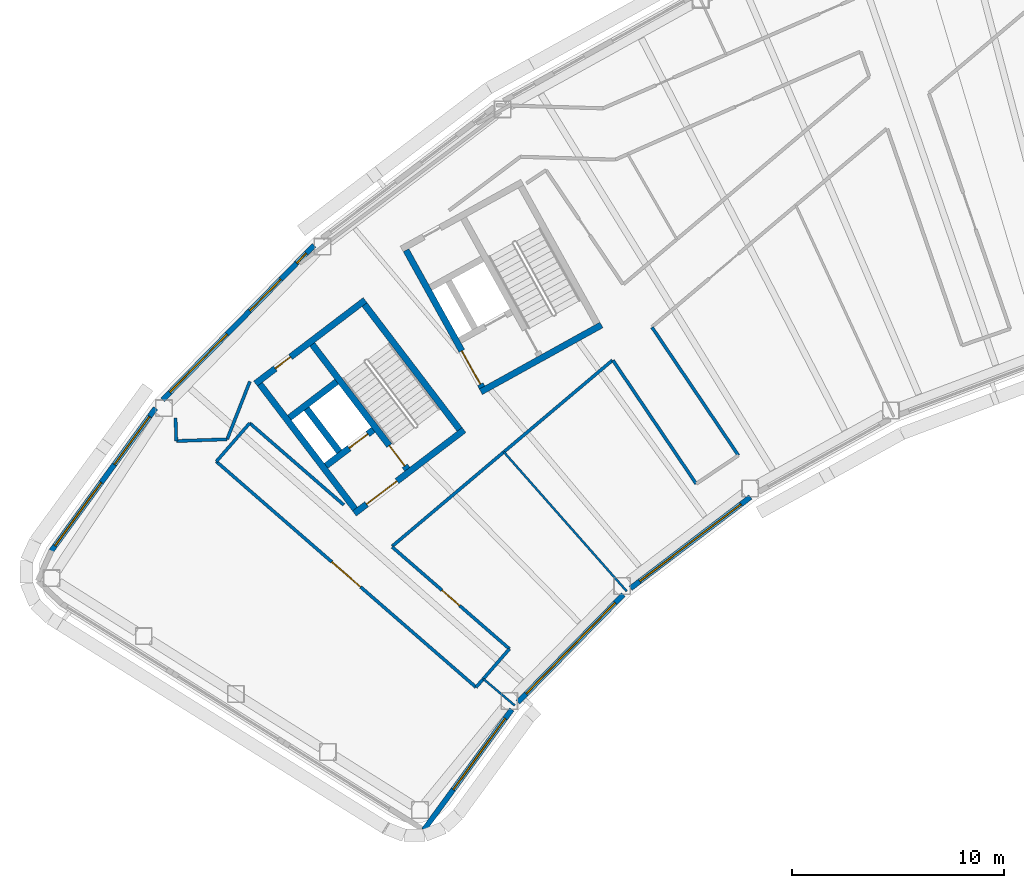
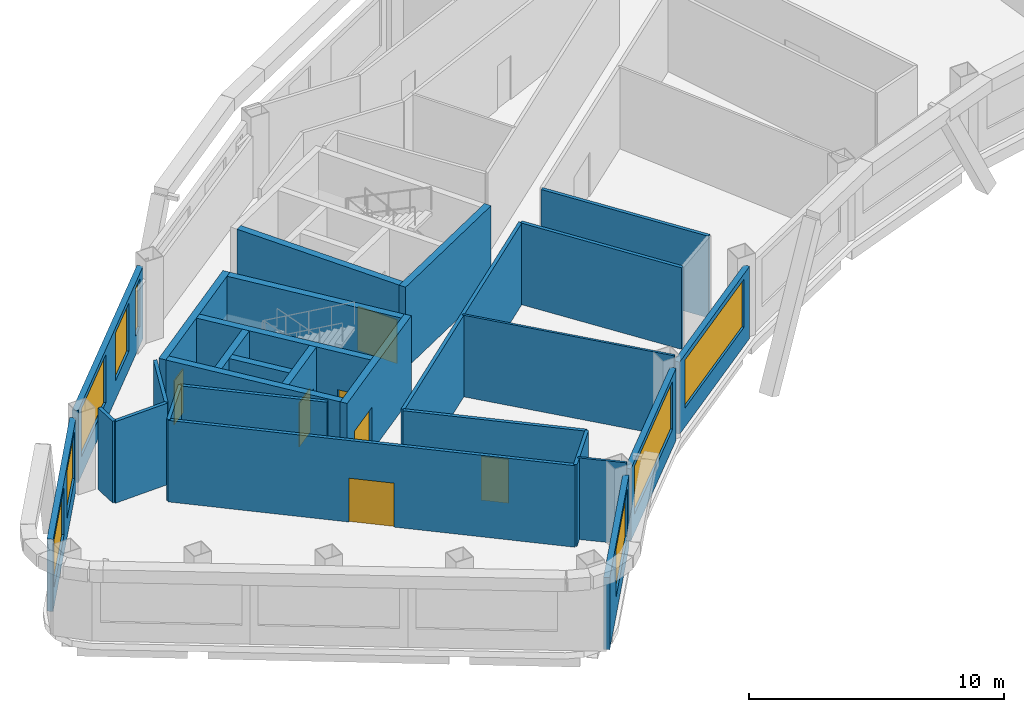
# One storey, part 5 of 16: 28 walls, 8 windows, 7 doors, 15 openings.
"""IFC4 building model written with IfcOpenShell, lengths in metres."""

from ifc_helpers import new_model, si_unit, direction, frame, frame_2d, origin, place, context, subcontext, project, spatial, rectangle, extrude, material, layer, layer_set, type_object, element, fill, save


model = new_model("IFC4")

# Units and contexts
model_context = context("Model", 3, precision=1e-05, world=origin(), true_north=direction((0.0, 1.0)))
body_context = subcontext(model_context, "Body", "Model", "MODEL_VIEW")
ifc_project = project(units=[si_unit("LENGTHUNIT", "METRE"), si_unit("AREAUNIT", "SQUARE_METRE"), si_unit("VOLUMEUNIT", "CUBIC_METRE"), si_unit("PLANEANGLEUNIT", "RADIAN"), si_unit("MASSUNIT", "GRAM", prefix="KILO")], contexts=[model_context])

# Site, building, storey
site_placement = place(None, origin())
site = spatial("IfcSite", under=ifc_project, at=site_placement, CompositionType="ELEMENT")
building_placement = place(site_placement, origin())
building = spatial("IfcBuilding", under=site, at=building_placement, Name="Tuul Gate Civic Tower", CompositionType="ELEMENT")
storey_placement = place(building_placement, frame((0.0, 0.0, 261.0)))
storey = spatial("IfcBuildingStorey", under=building, at=storey_placement, Name="Level 59", CompositionType="ELEMENT", Elevation=261.0)

# Wall, opening, door
ifc_material_1 = material(Name="Concrete C50/60", Category="concrete")
ifc_layer_1 = layer(ifc_material_1, 0.300048828125)
ifc_layer_set_1 = layer_set([ifc_layer_1], Name="Concrete C50/60")
wall_type_1 = type_object("IfcWallType", Name="Core wall C50/60", PredefinedType="SHEAR", material=ifc_layer_set_1)
wall_1_placement = place(storey_placement, frame((-31.19091796875, -13.669677734375, 0.0), z_axis=(0.0, 0.0, 1.0), x_axis=(-0.795606717756, -0.605813461934, 0.0)))
wall_1 = element("IfcWall", 1, at=wall_1_placement, inside=storey, type_object=wall_type_1, Name="Core wall", PredefinedType="SHEAR", context=body_context, shape_type="SweptSolid", body=[
    extrude(rectangle(XDim=6.5, YDim=0.300048828125, at=frame_2d((3.25, 0.0))), origin(), (0.0, 0.0, 1.0), 3.89990234375),
])
opening_1_placement = place(wall_1_placement, frame((3.97509765625, 0.0, 0.0)))
opening_1 = element("IfcOpeningElement", 2, at=opening_1_placement, cuts=wall_1, Name="Opening LB-W1-LOBBY-1", PredefinedType="OPENING", context=body_context, shape_type="SweptSolid", body=[
    extrude(rectangle(XDim=1.800048828125, YDim=2.10009765625, at=frame_2d((0.89990234375, 1.050048828125))), frame((0.0, 0.16015625, 0.0), z_axis=(0.0, -1.0, 0.0), x_axis=(1.0, 0.0, 0.0)), (0.0, 0.0, 1.0), 0.320068359375),
])
ifc_material_2 = material(Name="Steel", Category="steel")
door_type_1 = type_object("IfcDoorType", Name="Lobby door", OperationType="DOUBLE_DOOR_SINGLE_SWING", PredefinedType="DOOR", material=ifc_material_2)
door_1_placement = place(opening_1_placement, origin())
door_1 = element("IfcDoor", 3, at=door_1_placement, inside=storey, type_object=door_type_1, Name="Lobby door W1-LOBBY", OperationType="DOUBLE_DOOR_SINGLE_SWING", OverallHeight=2.10009765625, OverallWidth=1.800048828125, PredefinedType="DOOR", context=body_context, shape_type="SweptSolid", body=[
    extrude(rectangle(XDim=1.800048828125, YDim=2.10009765625, at=frame_2d((0.89990234375, 1.050048828125))), frame((0.0, 0.02490234375, 0.0), z_axis=(0.0, -1.0, 0.0), x_axis=(1.0, 0.0, 0.0)), (0.0, 0.0, 1.0), 0.050048828125),
])
fill(opening_1, door_1)

wall_2_placement = place(storey_placement, frame((-35.470947265625, -13.66064453125, 0.0), z_axis=(0.0, 0.0, 1.0), x_axis=(-0.795615822227, -0.605801504968, 0.0)))
wall_2 = element("IfcWall", 4, at=wall_2_placement, inside=storey, type_object=wall_type_1, Name="Core wall", PredefinedType="SHEAR", context=body_context, shape_type="SweptSolid", body=[
    extrude(rectangle(XDim=2.800048828125, YDim=0.300048828125, at=frame_2d((1.39990234375, 0.0))), origin(), (0.0, 0.0, 1.0), 3.89990234375),
])
opening_2_placement = place(wall_2_placement, frame((0.324951171875, 0.0, 0.0)))
opening_2 = element("IfcOpeningElement", 5, at=opening_2_placement, cuts=wall_2, Name="Opening LD-H1", PredefinedType="OPENING", context=body_context, shape_type="SweptSolid", body=[
    extrude(rectangle(XDim=1.10009765625, YDim=2.10009765625, at=frame_2d((0.550048828125, 1.050048828125))), frame((0.0, 0.16015625, 0.0), z_axis=(0.0, -1.0, 0.0), x_axis=(1.0, 0.0, 0.0)), (0.0, 0.0, 1.0), 0.320068359375),
])
ifc_material_3 = material(Name="Stainless steel", Category="steel")
door_type_2 = type_object("IfcDoorType", Name="Landing door", OperationType="DOUBLE_DOOR_SLIDING", PredefinedType="DOOR", material=ifc_material_3)
door_2_placement = place(opening_2_placement, origin())
door_2 = element("IfcDoor", 6, at=door_2_placement, inside=storey, type_object=door_type_2, Name="High-rise lift H1 landing door", OperationType="DOUBLE_DOOR_SLIDING", OverallHeight=2.10009765625, OverallWidth=1.10009765625, PredefinedType="DOOR", context=body_context, shape_type="SweptSolid", body=[
    extrude(rectangle(XDim=1.10009765625, YDim=2.10009765625, at=frame_2d((0.550048828125, 1.050048828125))), frame((0.0, 0.02490234375, 0.0), z_axis=(0.0, -1.0, 0.0), x_axis=(1.0, 0.0, 0.0)), (0.0, 0.0, 1.0), 0.050048828125),
])
fill(opening_2, door_2)

# Wall
wall_3_placement = place(storey_placement, frame((-37.197509765625, -11.39306640625, 0.0), z_axis=(0.0, 0.0, 1.0), x_axis=(-0.795583820278, -0.605843531707, 0.0)))
element("IfcWall", 7, at=wall_3_placement, inside=storey, type_object=wall_type_1, Name="Core wall", PredefinedType="SHEAR", context=body_context, shape_type="SweptSolid", body=[
    extrude(rectangle(XDim=2.7998046875, YDim=0.300048828125, at=frame_2d((1.39990234375, 0.0))), origin(), (0.0, 0.0, 1.0), 3.89990234375),
])

# Wall, opening, door
wall_4_placement = place(storey_placement, frame((-35.855224609375, -7.543212890625, 0.0), z_axis=(0.0, 0.0, 1.0), x_axis=(-0.79563860527, -0.605771582202, 0.0)))
wall_4 = element("IfcWall", 8, at=wall_4_placement, inside=storey, type_object=wall_type_1, Name="Core wall", PredefinedType="SHEAR", context=body_context, shape_type="SweptSolid", body=[
    extrude(rectangle(XDim=6.5, YDim=0.300048828125, at=frame_2d((3.25, 0.0))), origin(), (0.0, 0.0, 1.0), 3.89990234375),
])
opening_3_placement = place(wall_4_placement, frame((4.425048828125, 0.0, 0.0)))
opening_3 = element("IfcOpeningElement", 9, at=opening_3_placement, cuts=wall_4, Name="Opening V-D26", PredefinedType="OPENING", context=body_context, shape_type="SweptSolid", body=[
    extrude(rectangle(XDim=0.89990234375, YDim=2.10009765625, at=frame_2d((0.449951171875, 1.050048828125))), frame((0.0, 0.16015625, 0.0), z_axis=(0.0, -1.0, 0.0), x_axis=(1.0, 0.0, 0.0)), (0.0, 0.0, 1.0), 0.320068359375),
])
ifc_material_4 = material(Name="Timber door leaf", Category="wood")
door_type_3 = type_object("IfcDoorType", Name="Door D09", OperationType="NOTDEFINED", PredefinedType="DOOR", material=ifc_material_4)
door_3_placement = place(opening_3_placement, origin())
door_3 = element("IfcDoor", 10, at=door_3_placement, inside=storey, type_object=door_type_3, Name="Door V-D26", OperationType="SINGLE_SWING_LEFT", OverallHeight=2.10009765625, OverallWidth=0.89990234375, PredefinedType="DOOR", context=body_context, shape_type="SweptSolid", body=[
    extrude(rectangle(XDim=0.89990234375, YDim=2.10009765625, at=frame_2d((0.449951171875, 1.050048828125))), frame((0.0, 0.02490234375, 0.0), z_axis=(0.0, -1.0, 0.0), x_axis=(1.0, 0.0, 0.0)), (0.0, 0.0, 1.0), 0.050048828125),
])
fill(opening_3, door_3)

# Wall
wall_5_placement = place(storey_placement, frame((-31.401123046875, -13.64111328125, 0.0), z_axis=(0.0, 0.0, 1.0), x_axis=(-0.605769822278, 0.795639945213, 0.0)))
element("IfcWall", 11, at=wall_5_placement, inside=storey, type_object=wall_type_1, Name="Core wall", PredefinedType="SHEAR", context=body_context, shape_type="SweptSolid", body=[
    extrude(rectangle(XDim=7.39990234375, YDim=0.300048828125, at=frame_2d((3.699951171875, 0.0))), origin(), (0.0, 0.0, 1.0), 3.89990234375),
])

# Wall, opening, door
wall_6_placement = place(storey_placement, frame((-33.867431640625, -15.51904296875, 0.0), z_axis=(0.0, 0.0, 1.0), x_axis=(-0.605769822278, 0.795639945213, 0.0)))
wall_6 = element("IfcWall", 12, at=wall_6_placement, inside=storey, type_object=wall_type_1, Name="Core wall", PredefinedType="SHEAR", context=body_context, shape_type="SweptSolid", body=[
    extrude(rectangle(XDim=7.39990234375, YDim=0.300048828125, at=frame_2d((3.699951171875, 0.0))), origin(), (0.0, 0.0, 1.0), 3.89990234375),
])
opening_4_placement = place(wall_6_placement, frame((0.199951171875, 0.0, 0.0)))
opening_4 = element("IfcOpeningElement", 13, at=opening_4_placement, cuts=wall_6, Name="Opening SD-ST-1", PredefinedType="OPENING", context=body_context, shape_type="SweptSolid", body=[
    extrude(rectangle(XDim=1.199951171875, YDim=2.10009765625, at=frame_2d((0.60009765625, 1.050048828125))), frame((0.0, 0.16015625, 0.0), z_axis=(0.0, -1.0, 0.0), x_axis=(1.0, 0.0, 0.0)), (0.0, 0.0, 1.0), 0.320068359375),
])
ifc_material_5 = material(Name="Steel", Category="steel")
door_type_4 = type_object("IfcDoorType", Name="Stair door", OperationType="NOTDEFINED", PredefinedType="DOOR", material=ifc_material_5)
door_4_placement = place(opening_4_placement, origin())
door_4 = element("IfcDoor", 14, at=door_4_placement, inside=storey, type_object=door_type_4, Name="Stair door ST-1", OperationType="SINGLE_SWING_LEFT", OverallHeight=2.10009765625, OverallWidth=1.199951171875, PredefinedType="DOOR", context=body_context, shape_type="SweptSolid", body=[
    extrude(rectangle(XDim=1.199951171875, YDim=2.10009765625, at=frame_2d((0.60009765625, 1.050048828125))), frame((0.0, 0.02490234375, 0.0), z_axis=(0.0, -1.0, 0.0), x_axis=(1.0, 0.0, 0.0)), (0.0, 0.0, 1.0), 0.050048828125),
])
fill(opening_4, door_4)

# Walls
wall_7_placement = place(storey_placement, frame((-37.073486328125, -14.6923828125, 0.0), z_axis=(0.0, 0.0, 1.0), x_axis=(-0.605728760074, 0.79567120673, 0.0)))
element("IfcWall", 15, at=wall_7_placement, inside=storey, type_object=wall_type_1, Name="Core wall", PredefinedType="SHEAR", context=body_context, shape_type="SweptSolid", body=[
    extrude(rectangle(XDim=2.550048828125, YDim=0.300048828125, at=frame_2d((1.27490234375, 0.0))), origin(), (0.0, 0.0, 1.0), 3.89990234375),
])
wall_8_placement = place(storey_placement, frame((-36.333984375, -17.397216796875, 0.0), z_axis=(0.0, 0.0, 1.0), x_axis=(-0.605753921168, 0.795652051458, 0.0)))
element("IfcWall", 16, at=wall_8_placement, inside=storey, type_object=wall_type_1, Name="Core wall", PredefinedType="SHEAR", context=body_context, shape_type="SweptSolid", body=[
    extrude(rectangle(XDim=7.400146484375, YDim=0.300048828125, at=frame_2d((3.7001953125, 0.0))), origin(), (0.0, 0.0, 1.0), 3.89990234375),
])
wall_9_placement = place(storey_placement, frame((-24.711669921875, -8.7158203125, 0.0), z_axis=(0.0, 0.0, 1.0), x_axis=(-0.874629909008, -0.484791215132, 0.0)))
element("IfcWall", 17, at=wall_9_placement, inside=storey, type_object=wall_type_1, Name="Core wall", PredefinedType="SHEAR", context=body_context, shape_type="SweptSolid", body=[
    extrude(rectangle(XDim=6.5, YDim=0.300048828125, at=frame_2d((3.25, 0.0))), origin(), (0.0, 0.0, 1.0), 3.89990234375),
])

# Wall, opening, door
wall_10_placement = place(storey_placement, frame((-30.33837890625, -11.6630859375, 0.0), z_axis=(0.0, 0.0, 1.0), x_axis=(-0.484751894226, 0.874651702704, 0.0)))
wall_10 = element("IfcWall", 18, at=wall_10_placement, inside=storey, type_object=wall_type_1, Name="Core wall", PredefinedType="SHEAR", context=body_context, shape_type="SweptSolid", body=[
    extrude(rectangle(XDim=7.39990234375, YDim=0.300048828125, at=frame_2d((3.699951171875, 0.0))), origin(), (0.0, 0.0, 1.0), 3.89990234375),
])
opening_5_placement = place(wall_10_placement, frame((0.175048828125, 0.0, 0.0)))
opening_5 = element("IfcOpeningElement", 19, at=opening_5_placement, cuts=wall_10, Name="Opening LB-W2-FLOBBY-1", PredefinedType="OPENING", context=body_context, shape_type="SweptSolid", body=[
    extrude(rectangle(XDim=1.800048828125, YDim=2.10009765625, at=frame_2d((0.89990234375, 1.050048828125))), frame((0.0, 0.16015625, 0.0), z_axis=(0.0, -1.0, 0.0), x_axis=(1.0, 0.0, 0.0)), (0.0, 0.0, 1.0), 0.320068359375),
])
door_5_placement = place(opening_5_placement, origin())
door_5 = element("IfcDoor", 20, at=door_5_placement, inside=storey, type_object=door_type_1, Name="Lobby door W2-FLOBBY", OperationType="DOUBLE_DOOR_SINGLE_SWING", OverallHeight=2.10009765625, OverallWidth=1.800048828125, PredefinedType="DOOR", context=body_context, shape_type="SweptSolid", body=[
    extrude(rectangle(XDim=1.800048828125, YDim=2.10009765625, at=frame_2d((0.89990234375, 1.050048828125))), frame((0.0, 0.02490234375, 0.0), z_axis=(0.0, -1.0, 0.0), x_axis=(1.0, 0.0, 0.0)), (0.0, 0.0, 1.0), 0.050048828125),
])
fill(opening_5, door_5)

# Walls
ifc_material_6 = material(Name="Gypsum board partition")
ifc_layer_2 = layer(ifc_material_6, 0.14990234375)
ifc_layer_set_2 = layer_set([ifc_layer_2], Name="Gypsum board partition")
wall_type_2 = type_object("IfcWallType", Name="Corridor wall P150", PredefinedType="PARTITIONING", material=ifc_layer_set_2)
wall_11_placement = place(storey_placement, frame((-44.76220703125, -14.189453125, 0.0), z_axis=(0.0, 0.0, 1.0), x_axis=(0.999429560853, 0.033772072692, 0.0)))
element("IfcWall", 21, at=wall_11_placement, inside=storey, type_object=wall_type_2, Name="p039", PredefinedType="PARTITIONING", context=body_context, shape_type="SweptSolid", body=[
    extrude(rectangle(XDim=2.400146484375, YDim=0.14990234375, at=frame_2d((1.2001953125, 0.0))), origin(), (0.0, 0.0, 1.0), 3.89990234375),
])
wall_12_placement = place(storey_placement, frame((-42.363525390625, -14.1083984375, 0.0), z_axis=(0.0, 0.0, 1.0), x_axis=(0.365551849377, 0.930790978371, 0.0)))
element("IfcWall", 22, at=wall_12_placement, inside=storey, type_object=wall_type_2, Name="p040", PredefinedType="PARTITIONING", context=body_context, shape_type="SweptSolid", body=[
    extrude(rectangle(XDim=2.9306640625, YDim=0.14990234375, at=frame_2d((1.46533203125, 0.0))), origin(), (0.0, 0.0, 1.0), 3.89990234375),
])
wall_13_placement = place(storey_placement, frame((-41.29931640625, -13.344482421875, 0.0), z_axis=(0.0, 0.0, 1.0), x_axis=(0.754705532199, -0.65606368568, 0.0)))
element("IfcWall", 23, at=wall_13_placement, inside=storey, type_object=wall_type_2, Name="p041", PredefinedType="PARTITIONING", context=body_context, shape_type="SweptSolid", body=[
    extrude(rectangle(XDim=5.885498046875, YDim=0.14990234375, at=frame_2d((2.94287109375, 0.0))), origin(), (0.0, 0.0, 1.0), 3.89990234375),
])

# Wall, opening, door
wall_14_placement = place(storey_placement, frame((-34.58203125, -19.183837890625, 0.0), z_axis=(0.0, 0.0, 1.0), x_axis=(0.7547087962, -0.656059930904, 0.0)))
wall_14 = element("IfcWall", 24, at=wall_14_placement, inside=storey, type_object=wall_type_2, Name="p042", PredefinedType="PARTITIONING", context=body_context, shape_type="SweptSolid", body=[
    extrude(rectangle(XDim=7.328125, YDim=0.14990234375, at=frame_2d((3.6640625, 0.0))), origin(), (0.0, 0.0, 1.0), 3.89990234375),
])
opening_6_placement = place(wall_14_placement, frame((3.114013671875, 0.0, 0.0)))
opening_6 = element("IfcOpeningElement", 25, at=opening_6_placement, cuts=wall_14, Name="Opening V-D15", PredefinedType="OPENING", context=body_context, shape_type="SweptSolid", body=[
    extrude(rectangle(XDim=1.10009765625, YDim=2.10009765625, at=frame_2d((0.550048828125, 1.050048828125))), frame((0.0, 0.0849609375, 0.0), z_axis=(0.0, -1.0, 0.0), x_axis=(1.0, 0.0, 0.0)), (0.0, 0.0, 1.0), 0.169921875),
])
ifc_material_7 = material(Name="Timber door leaf", Category="wood")
door_type_5 = type_object("IfcDoorType", Name="Door D11", OperationType="NOTDEFINED", PredefinedType="DOOR", material=ifc_material_7)
door_6_placement = place(opening_6_placement, origin())
door_6 = element("IfcDoor", 26, at=door_6_placement, inside=storey, type_object=door_type_5, Name="Door V-D15", OperationType="SINGLE_SWING_RIGHT", OverallHeight=2.10009765625, OverallWidth=1.10009765625, PredefinedType="DOOR", context=body_context, shape_type="SweptSolid", body=[
    extrude(rectangle(XDim=1.10009765625, YDim=2.10009765625, at=frame_2d((0.550048828125, 1.050048828125))), frame((0.0, 0.02490234375, 0.0), z_axis=(0.0, -1.0, 0.0), x_axis=(1.0, 0.0, 0.0)), (0.0, 0.0, 1.0), 0.050048828125),
])
fill(opening_6, door_6)

# Wall
wall_15_placement = place(storey_placement, frame((-42.873779296875, -15.15576171875, 0.0), z_axis=(0.0, 0.0, 1.0), x_axis=(0.656045220604, 0.754721583448, 0.0)))
element("IfcWall", 27, at=wall_15_placement, inside=storey, type_object=wall_type_2, Name="p043", PredefinedType="PARTITIONING", context=body_context, shape_type="SweptSolid", body=[
    extrude(rectangle(XDim=2.39990234375, YDim=0.14990234375, at=frame_2d((1.199951171875, 0.0))), origin(), (0.0, 0.0, 1.0), 3.89990234375),
])

# Wall, opening, door
wall_16_placement = place(storey_placement, frame((-42.873779296875, -15.15576171875, 0.0), z_axis=(0.0, 0.0, 1.0), x_axis=(0.754711415152, -0.65605691814, 0.0)))
wall_16 = element("IfcWall", 28, at=wall_16_placement, inside=storey, type_object=wall_type_2, Name="p044", PredefinedType="PARTITIONING", context=body_context, shape_type="SweptSolid", body=[
    extrude(rectangle(XDim=16.22900390625, YDim=0.14990234375, at=frame_2d((8.114501953125, 0.0))), origin(), (0.0, 0.0, 1.0), 3.89990234375),
])
opening_7_placement = place(wall_16_placement, frame((7.214599609375, 0.0, 0.0)))
opening_7 = element("IfcOpeningElement", 29, at=opening_7_placement, cuts=wall_16, Name="Opening V-D07", PredefinedType="OPENING", context=body_context, shape_type="SweptSolid", body=[
    extrude(rectangle(XDim=1.800048828125, YDim=2.10009765625, at=frame_2d((0.89990234375, 1.050048828125))), frame((0.0, 0.0849609375, 0.0), z_axis=(0.0, -1.0, 0.0), x_axis=(1.0, 0.0, 0.0)), (0.0, 0.0, 1.0), 0.169921875),
])
ifc_material_8 = material(Name="Timber door leaf, double", Category="wood")
door_type_6 = type_object("IfcDoorType", Name="Door D18", OperationType="DOUBLE_DOOR_SINGLE_SWING", PredefinedType="DOOR", material=ifc_material_8)
door_7_placement = place(opening_7_placement, frame((1.800048828125, 0.0, 0.0), z_axis=(0.0, 0.0, 1.0), x_axis=(-1.0, 0.0, 0.0)))
door_7 = element("IfcDoor", 30, at=door_7_placement, inside=storey, type_object=door_type_6, Name="Door V-D07", OperationType="DOUBLE_DOOR_SINGLE_SWING", OverallHeight=2.10009765625, OverallWidth=1.800048828125, PredefinedType="DOOR", context=body_context, shape_type="SweptSolid", body=[
    extrude(rectangle(XDim=1.800048828125, YDim=2.10009765625, at=frame_2d((0.900146484375, 1.050048828125))), frame((0.0, 0.02490234375, 0.0), z_axis=(0.0, -1.0, 0.0), x_axis=(1.0, 0.0, 0.0)), (0.0, 0.0, 1.0), 0.050048828125),
])
fill(opening_7, door_7)

# Walls
wall_17_placement = place(storey_placement, frame((-30.62548828125, -25.802978515625, 0.0), z_axis=(0.0, 0.0, 1.0), x_axis=(0.655979683466, 0.754778546913, 0.0)))
element("IfcWall", 31, at=wall_17_placement, inside=storey, type_object=wall_type_2, Name="p045", PredefinedType="PARTITIONING", context=body_context, shape_type="SweptSolid", body=[
    extrude(rectangle(XDim=2.3994140625, YDim=0.14990234375, at=frame_2d((1.19970703125, 0.0))), origin(), (0.0, 0.0, 1.0), 3.89990234375),
])
wall_18_placement = place(storey_placement, frame((-44.799072265625, -13.10107421875, 0.0), z_axis=(0.0, 0.0, 1.0), x_axis=(0.033852277693, -0.999426847396, 0.0)))
element("IfcWall", 32, at=wall_18_placement, inside=storey, type_object=wall_type_2, Name="p046", PredefinedType="PARTITIONING", context=body_context, shape_type="SweptSolid", body=[
    extrude(rectangle(XDim=1.089111328125, YDim=0.14990234375, at=frame_2d((0.54443359375, 0.0))), origin(), (0.0, 0.0, 1.0), 3.89990234375),
])
wall_19_placement = place(storey_placement, frame((-34.581787109375, -19.1533203125, 0.0), z_axis=(0.0, 0.0, 1.0), x_axis=(0.764037195411, 0.645172197192, 0.0)))
element("IfcWall", 33, at=wall_19_placement, inside=storey, type_object=wall_type_2, Name="p069", PredefinedType="PARTITIONING", context=body_context, shape_type="SweptSolid", body=[
    extrude(rectangle(XDim=13.593017578125, YDim=0.14990234375, at=frame_2d((6.79638671875, 0.0))), origin(), (0.0, 0.0, 1.0), 3.89990234375),
])
wall_20_placement = place(storey_placement, frame((-24.166748046875, -10.3876953125, 0.0), z_axis=(0.0, 0.0, 1.0), x_axis=(0.559210603637, -0.829025633367, 0.0)))
element("IfcWall", 34, at=wall_20_placement, inside=storey, type_object=wall_type_2, Name="p078", PredefinedType="PARTITIONING", context=body_context, shape_type="SweptSolid", body=[
    extrude(rectangle(XDim=7.019775390625, YDim=0.14990234375, at=frame_2d((3.509765625, 0.0))), origin(), (0.0, 0.0, 1.0), 3.89990234375),
])
wall_21_placement = place(storey_placement, frame((-22.32470703125, -8.826416015625, 0.0), z_axis=(0.0, 0.0, 1.0), x_axis=(0.559170600048, -0.829052615967, 0.0)))
element("IfcWall", 35, at=wall_21_placement, inside=storey, type_object=wall_type_2, Name="p081", PredefinedType="PARTITIONING", context=body_context, shape_type="SweptSolid", body=[
    extrude(rectangle(XDim=7.283935546875, YDim=0.14990234375, at=frame_2d((3.64208984375, 0.0))), origin(), (0.0, 0.0, 1.0), 3.89990234375),
])

# Wall, openings, windows
ifc_material_9 = material(Name="Precast concrete C40/50", Category="concrete")
ifc_layer_3 = layer(ifc_material_9, 0.25)
ifc_layer_set_3 = layer_set([ifc_layer_3], Name="Precast concrete C40/50")
wall_type_3 = type_object("IfcWallType", Name="External wall", PredefinedType="STANDARD", material=ifc_layer_set_3)
wall_22_placement = place(storey_placement, frame((-38.26708984375, -4.960693359375, 0.0), z_axis=(0.0, 0.0, 1.0), x_axis=(-0.699995514974, -0.714147239031, 0.0)))
wall_22 = element("IfcWall", 36, at=wall_22_placement, inside=storey, type_object=wall_type_3, Name="External wall", PredefinedType="STANDARD", context=body_context, shape_type="SweptSolid", body=[
    extrude(rectangle(XDim=10.19580078125, YDim=0.25, at=frame_2d((5.097900390625, 0.0))), origin(), (0.0, 0.0, 1.0), 3.449951171875),
])
opening_8_placement = place(wall_22_placement, frame((5.85888671875, 0.0, 0.89990234375)))
opening_8 = element("IfcOpeningElement", 37, at=opening_8_placement, cuts=wall_22, Name="Opening W22", PredefinedType="OPENING", context=body_context, shape_type="SweptSolid", body=[
    extrude(rectangle(XDim=3.85009765625, YDim=2.300048828125, at=frame_2d((1.925048828125, 1.14990234375))), frame((0.0, 0.135009765625, 0.0), z_axis=(0.0, -1.0, 0.0), x_axis=(1.0, 0.0, 0.0)), (0.0, 0.0, 1.0), 0.27001953125),
])
opening_9_placement = place(wall_22_placement, frame((0.51904296875, 0.0, 0.89990234375)))
opening_9 = element("IfcOpeningElement", 38, at=opening_9_placement, cuts=wall_22, Name="Opening W31", PredefinedType="OPENING", context=body_context, shape_type="SweptSolid", body=[
    extrude(rectangle(XDim=0.64990234375, YDim=2.300048828125, at=frame_2d((0.324951171875, 1.14990234375))), frame((0.0, 0.135009765625, 0.0), z_axis=(0.0, -1.0, 0.0), x_axis=(1.0, 0.0, 0.0)), (0.0, 0.0, 1.0), 0.27001953125),
])
opening_10_placement = place(wall_22_placement, frame((2.229736328125, 0.0, 0.89990234375)))
opening_10 = element("IfcOpeningElement", 39, at=opening_10_placement, cuts=wall_22, Name="Opening W40", PredefinedType="OPENING", context=body_context, shape_type="SweptSolid", body=[
    extrude(rectangle(XDim=2.10009765625, YDim=2.300048828125, at=frame_2d((1.050048828125, 1.14990234375))), frame((0.0, 0.135009765625, 0.0), z_axis=(0.0, -1.0, 0.0), x_axis=(1.0, 0.0, 0.0)), (0.0, 0.0, 1.0), 0.27001953125),
])
ifc_material_10 = material(Name="Glass", Category="glass")
window_type_1 = type_object("IfcWindowType", Name="Window 2100 x 2300", PartitioningType="SINGLE_PANEL", PredefinedType="WINDOW", material=ifc_material_10)
window_1_placement = place(opening_10_placement, origin())
window_1 = element("IfcWindow", 40, at=window_1_placement, inside=storey, type_object=window_type_1, Name="Window", OverallHeight=2.300048828125, OverallWidth=2.10009765625, PartitioningType="SINGLE_PANEL", PredefinedType="WINDOW", context=body_context, shape_type="SweptSolid", body=[
    extrude(rectangle(XDim=2.10009765625, YDim=2.300048828125, at=frame_2d((1.050048828125, 1.14990234375))), frame((0.0, 0.030029296875, 0.0), z_axis=(0.0, -1.0, 0.0), x_axis=(1.0, 0.0, 0.0)), (0.0, 0.0, 1.0), 0.06005859375),
])
fill(opening_10, window_1)
ifc_material_11 = material(Name="Glass", Category="glass")
window_type_2 = type_object("IfcWindowType", Name="Window 650 x 2300", PartitioningType="SINGLE_PANEL", PredefinedType="WINDOW", material=ifc_material_11)
window_2_placement = place(opening_9_placement, origin())
window_2 = element("IfcWindow", 41, at=window_2_placement, inside=storey, type_object=window_type_2, Name="Window", OverallHeight=2.300048828125, OverallWidth=0.64990234375, PartitioningType="SINGLE_PANEL", PredefinedType="WINDOW", context=body_context, shape_type="SweptSolid", body=[
    extrude(rectangle(XDim=0.64990234375, YDim=2.300048828125, at=frame_2d((0.324951171875, 1.14990234375))), frame((0.0, 0.030029296875, 0.0), z_axis=(0.0, -1.0, 0.0), x_axis=(1.0, 0.0, 0.0)), (0.0, 0.0, 1.0), 0.06005859375),
])
fill(opening_9, window_2)
ifc_material_12 = material(Name="Glass", Category="glass")
window_type_3 = type_object("IfcWindowType", Name="Window W22 3850 x 2300", PartitioningType="SINGLE_PANEL", PredefinedType="WINDOW", material=ifc_material_12)
window_3_placement = place(opening_8_placement, origin())
window_3 = element("IfcWindow", 42, at=window_3_placement, inside=storey, type_object=window_type_3, Name="Window", OverallHeight=2.300048828125, OverallWidth=3.85009765625, PartitioningType="SINGLE_PANEL", PredefinedType="WINDOW", context=body_context, shape_type="SweptSolid", body=[
    extrude(rectangle(XDim=3.85009765625, YDim=2.300048828125, at=frame_2d((1.925048828125, 1.14990234375))), frame((0.0, 0.030029296875, 0.0), z_axis=(0.0, -1.0, 0.0), x_axis=(1.0, 0.0, 0.0)), (0.0, 0.0, 1.0), 0.06005859375),
])
fill(opening_8, window_3)

wall_23_placement = place(storey_placement, frame((-45.740966796875, -12.638671875, 0.0), z_axis=(0.0, 0.0, 1.0), x_axis=(-0.589821256366, -0.807533829346, 0.0)))
wall_23 = element("IfcWall", 43, at=wall_23_placement, inside=storey, type_object=wall_type_3, Name="External wall", PredefinedType="STANDARD", context=body_context, shape_type="SweptSolid", body=[
    extrude(rectangle(XDim=8.33642578125, YDim=0.25, at=frame_2d((4.168212890625, 0.0))), origin(), (0.0, 0.0, 1.0), 3.449951171875),
])
opening_11_placement = place(wall_23_placement, frame((0.484619140625, 0.0, 0.89990234375)))
opening_11 = element("IfcOpeningElement", 44, at=opening_11_placement, cuts=wall_23, Name="Opening W23", PredefinedType="OPENING", context=body_context, shape_type="SweptSolid", body=[
    extrude(rectangle(XDim=2.800048828125, YDim=2.300048828125, at=frame_2d((1.39990234375, 1.14990234375))), frame((0.0, 0.135009765625, 0.0), z_axis=(0.0, -1.0, 0.0), x_axis=(1.0, 0.0, 0.0)), (0.0, 0.0, 1.0), 0.27001953125),
])
opening_12_placement = place(wall_23_placement, frame((4.3359375, 0.0, 0.89990234375)))
opening_12 = element("IfcOpeningElement", 45, at=opening_12_placement, cuts=wall_23, Name="Opening W21", PredefinedType="OPENING", context=body_context, shape_type="SweptSolid", body=[
    extrude(rectangle(XDim=3.699951171875, YDim=2.300048828125, at=frame_2d((1.85009765625, 1.14990234375))), frame((0.0, 0.135009765625, 0.0), z_axis=(0.0, -1.0, 0.0), x_axis=(1.0, 0.0, 0.0)), (0.0, 0.0, 1.0), 0.27001953125),
])
ifc_material_13 = material(Name="Glass", Category="glass")
window_type_4 = type_object("IfcWindowType", Name="Window W21 3700 x 2300", PartitioningType="SINGLE_PANEL", PredefinedType="WINDOW", material=ifc_material_13)
window_4_placement = place(opening_12_placement, origin())
window_4 = element("IfcWindow", 46, at=window_4_placement, inside=storey, type_object=window_type_4, Name="Window", OverallHeight=2.300048828125, OverallWidth=3.699951171875, PartitioningType="SINGLE_PANEL", PredefinedType="WINDOW", context=body_context, shape_type="SweptSolid", body=[
    extrude(rectangle(XDim=3.699951171875, YDim=2.300048828125, at=frame_2d((1.85009765625, 1.14990234375))), frame((0.0, 0.030029296875, 0.0), z_axis=(0.0, -1.0, 0.0), x_axis=(1.0, 0.0, 0.0)), (0.0, 0.0, 1.0), 0.06005859375),
])
fill(opening_12, window_4)
ifc_material_14 = material(Name="Glass", Category="glass")
window_type_5 = type_object("IfcWindowType", Name="Window W23 2800 x 2300", PartitioningType="SINGLE_PANEL", PredefinedType="WINDOW", material=ifc_material_14)
window_5_placement = place(opening_11_placement, origin())
window_5 = element("IfcWindow", 47, at=window_5_placement, inside=storey, type_object=window_type_5, Name="Window", OverallHeight=2.300048828125, OverallWidth=2.800048828125, PartitioningType="SINGLE_PANEL", PredefinedType="WINDOW", context=body_context, shape_type="SweptSolid", body=[
    extrude(rectangle(XDim=2.800048828125, YDim=2.300048828125, at=frame_2d((1.39990234375, 1.14990234375))), frame((0.0, 0.030029296875, 0.0), z_axis=(0.0, -1.0, 0.0), x_axis=(1.0, 0.0, 0.0)), (0.0, 0.0, 1.0), 0.06005859375),
])
fill(opening_11, window_5)

# Wall, opening, window
wall_24_placement = place(storey_placement, frame((-33.088623046875, -32.53173828125, 0.0), z_axis=(0.0, 0.0, 1.0), x_axis=(0.589734649771, 0.807597079526, 0.0)))
wall_24 = element("IfcWall", 48, at=wall_24_placement, inside=storey, type_object=wall_type_3, Name="External wall", PredefinedType="STANDARD", context=body_context, shape_type="SweptSolid", body=[
    extrude(rectangle(XDim=7.03515625, YDim=0.25, at=frame_2d((3.517578125, 0.0))), origin(), (0.0, 0.0, 1.0), 3.449951171875),
])
opening_13_placement = place(wall_24_placement, frame((2.357666015625, 0.0, 0.89990234375)))
opening_13 = element("IfcOpeningElement", 49, at=opening_13_placement, cuts=wall_24, Name="Opening W25", PredefinedType="OPENING", context=body_context, shape_type="SweptSolid", body=[
    extrude(rectangle(XDim=4.14990234375, YDim=2.300048828125, at=frame_2d((2.074951171875, 1.14990234375))), frame((0.0, 0.135009765625, 0.0), z_axis=(0.0, -1.0, 0.0), x_axis=(1.0, 0.0, 0.0)), (0.0, 0.0, 1.0), 0.27001953125),
])
ifc_material_15 = material(Name="Glass", Category="glass")
window_type_6 = type_object("IfcWindowType", Name="Window W25 4150 x 2300", PartitioningType="SINGLE_PANEL", PredefinedType="WINDOW", material=ifc_material_15)
window_6_placement = place(opening_13_placement, origin())
window_6 = element("IfcWindow", 50, at=window_6_placement, inside=storey, type_object=window_type_6, Name="Window", OverallHeight=2.300048828125, OverallWidth=4.14990234375, PartitioningType="SINGLE_PANEL", PredefinedType="WINDOW", context=body_context, shape_type="SweptSolid", body=[
    extrude(rectangle(XDim=4.14990234375, YDim=2.300048828125, at=frame_2d((2.074951171875, 1.14990234375))), frame((0.0, 0.030029296875, 0.0), z_axis=(0.0, -1.0, 0.0), x_axis=(1.0, 0.0, 0.0)), (0.0, 0.0, 1.0), 0.06005859375),
])
fill(opening_13, window_6)

wall_25_placement = place(storey_placement, frame((-28.64990234375, -26.50634765625, 0.0), z_axis=(0.0, 0.0, 1.0), x_axis=(0.700015105418, 0.714128036269, 0.0)))
wall_25 = element("IfcWall", 51, at=wall_25_placement, inside=storey, type_object=wall_type_3, Name="External wall", PredefinedType="STANDARD", context=body_context, shape_type="SweptSolid", body=[
    extrude(rectangle(XDim=7.10986328125, YDim=0.25, at=frame_2d((3.554931640625, 0.0))), origin(), (0.0, 0.0, 1.0), 3.449951171875),
])
opening_14_placement = place(wall_25_placement, frame((0.555908203125, 0.0, 0.89990234375)))
opening_14 = element("IfcOpeningElement", 52, at=opening_14_placement, cuts=wall_25, Name="Opening W26", PredefinedType="OPENING", context=body_context, shape_type="SweptSolid", body=[
    extrude(rectangle(XDim=6.0, YDim=2.300048828125, at=frame_2d((3.0, 1.14990234375))), frame((0.0, 0.135009765625, 0.0), z_axis=(0.0, -1.0, 0.0), x_axis=(1.0, 0.0, 0.0)), (0.0, 0.0, 1.0), 0.27001953125),
])
ifc_material_16 = material(Name="Glass", Category="glass")
window_type_7 = type_object("IfcWindowType", Name="Window W26 6000 x 2300", PartitioningType="SINGLE_PANEL", PredefinedType="WINDOW", material=ifc_material_16)
window_7_placement = place(opening_14_placement, origin())
window_7 = element("IfcWindow", 53, at=window_7_placement, inside=storey, type_object=window_type_7, Name="Window", OverallHeight=2.300048828125, OverallWidth=6.0, PartitioningType="SINGLE_PANEL", PredefinedType="WINDOW", context=body_context, shape_type="SweptSolid", body=[
    extrude(rectangle(XDim=6.0, YDim=2.300048828125, at=frame_2d((3.0, 1.14990234375))), frame((0.0, 0.030029296875, 0.0), z_axis=(0.0, -1.0, 0.0), x_axis=(1.0, 0.0, 0.0)), (0.0, 0.0, 1.0), 0.06005859375),
])
fill(opening_14, window_7)

wall_26_placement = place(storey_placement, frame((-23.3359375, -21.133056640625, 0.0), z_axis=(0.0, 0.0, 1.0), x_axis=(0.795636022241, 0.605774974815, 0.0)))
wall_26 = element("IfcWall", 54, at=wall_26_placement, inside=storey, type_object=wall_type_3, Name="External wall", PredefinedType="STANDARD", context=body_context, shape_type="SweptSolid", body=[
    extrude(rectangle(XDim=7.103271484375, YDim=0.25, at=frame_2d((3.5517578125, 0.0))), origin(), (0.0, 0.0, 1.0), 3.449951171875),
])
opening_15_placement = place(wall_26_placement, frame((0.540771484375, 0.0, 0.89990234375)))
opening_15 = element("IfcOpeningElement", 55, at=opening_15_placement, cuts=wall_26, Name="Opening W26", PredefinedType="OPENING", context=body_context, shape_type="SweptSolid", body=[
    extrude(rectangle(XDim=6.0, YDim=2.300048828125, at=frame_2d((3.0, 1.14990234375))), frame((0.0, 0.135009765625, 0.0), z_axis=(0.0, -1.0, 0.0), x_axis=(1.0, 0.0, 0.0)), (0.0, 0.0, 1.0), 0.27001953125),
])
window_8_placement = place(opening_15_placement, origin())
window_8 = element("IfcWindow", 56, at=window_8_placement, inside=storey, type_object=window_type_7, Name="Window", OverallHeight=2.300048828125, OverallWidth=6.0, PartitioningType="SINGLE_PANEL", PredefinedType="WINDOW", context=body_context, shape_type="SweptSolid", body=[
    extrude(rectangle(XDim=6.0, YDim=2.300048828125, at=frame_2d((3.0, 1.14990234375))), frame((0.0, 0.030029296875, 0.0), z_axis=(0.0, -1.0, 0.0), x_axis=(1.0, 0.0, 0.0)), (0.0, 0.0, 1.0), 0.06005859375),
])
fill(opening_15, window_8)

# Walls
ifc_material_17 = material(Name="Gypsum board partition")
ifc_layer_4 = layer(ifc_material_17, 0.10009765625)
ifc_layer_set_4 = layer_set([ifc_layer_4], Name="Gypsum board partition")
wall_type_4 = type_object("IfcWallType", Name="Partition P100", PredefinedType="PARTITIONING", material=ifc_layer_set_4)
wall_27_placement = place(storey_placement, frame((-30.28125, -25.40673828125, 0.0), z_axis=(0.0, 0.0, 1.0), x_axis=(0.762781194193, -0.646656670719, 0.0)))
element("IfcWall", 57, at=wall_27_placement, inside=storey, type_object=wall_type_4, Name="p038", PredefinedType="PARTITIONING", context=body_context, shape_type="SweptSolid", body=[
    extrude(rectangle(XDim=1.94482421875, YDim=0.10009765625, at=frame_2d((0.972412109375, 0.0))), origin(), (0.0, 0.0, 1.0), 3.89990234375),
])
wall_28_placement = place(storey_placement, frame((-29.3154296875, -14.706298828125, 0.0), z_axis=(0.0, 0.0, 1.0), x_axis=(0.661674155248, -0.74979151254, 0.0)))
element("IfcWall", 58, at=wall_28_placement, inside=storey, type_object=wall_type_4, Name="p077", PredefinedType="PARTITIONING", context=body_context, shape_type="SweptSolid", body=[
    extrude(rectangle(XDim=8.763427734375, YDim=0.10009765625, at=frame_2d((4.3818359375, 0.0))), origin(), (0.0, 0.0, 1.0), 3.89990234375),
])

save(model, "model.ifc")
